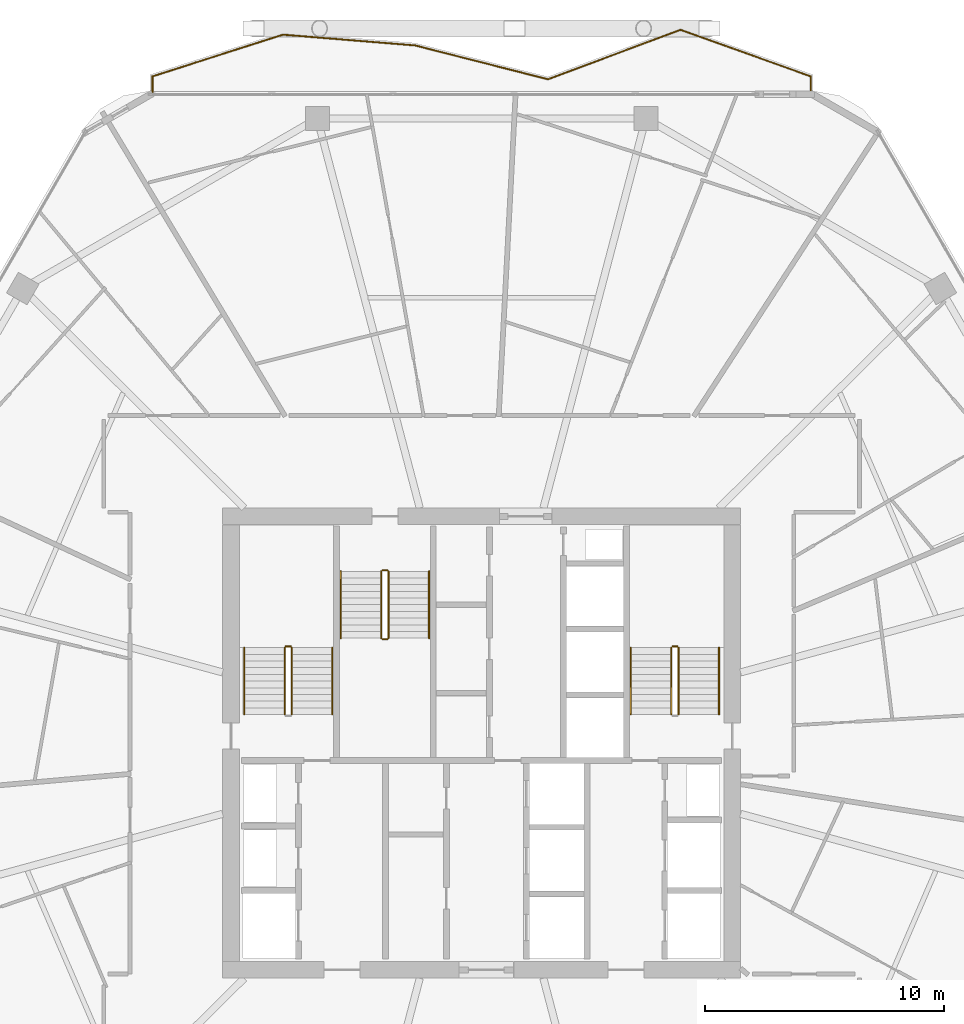
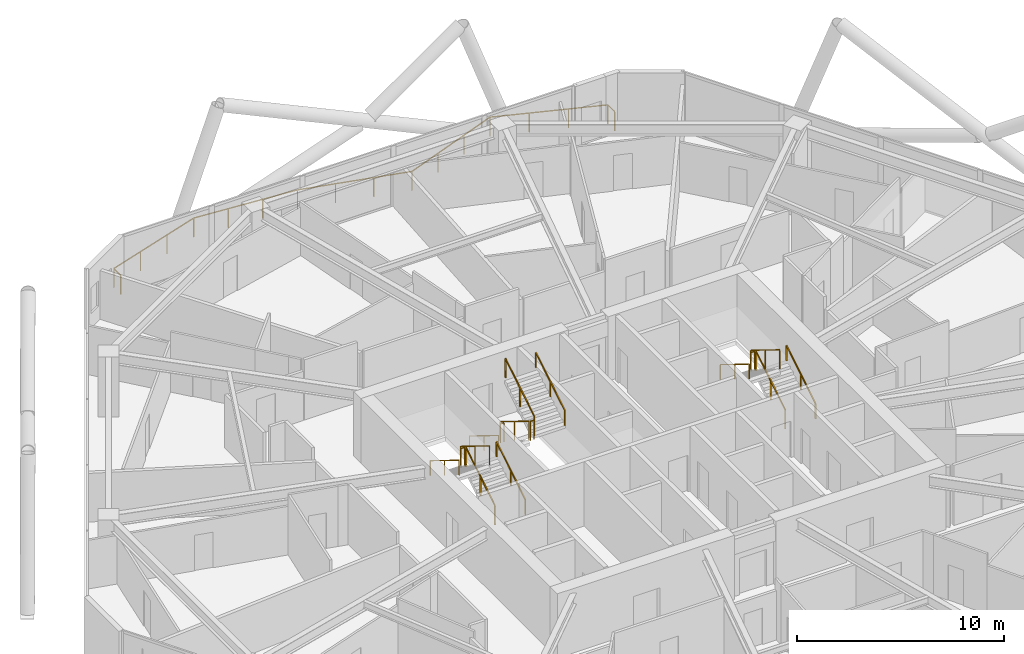
# One storey, part 28 of 29: 17 railings.
"""IFC4 building model written with IfcOpenShell, lengths in metres."""

from ifc_helpers import new_model, si_unit, direction, frame, origin, origin_2d, place, context, subcontext, project, spatial, rectangle, extrude, material, type_object, element, save


model = new_model("IFC4")

# Units and contexts
model_context = context("Model", 3, precision=1e-05, world=origin(), true_north=direction((0.0, 1.0)))
body_context = subcontext(model_context, "Body", "Model", "MODEL_VIEW")
ifc_project = project(units=[si_unit("LENGTHUNIT", "METRE"), si_unit("AREAUNIT", "SQUARE_METRE"), si_unit("VOLUMEUNIT", "CUBIC_METRE"), si_unit("PLANEANGLEUNIT", "RADIAN"), si_unit("MASSUNIT", "GRAM", prefix="KILO")], contexts=[model_context])

# Site, building, storey
site_placement = place(None, origin())
site = spatial("IfcSite", under=ifc_project, at=site_placement, CompositionType="ELEMENT")
building_placement = place(site_placement, origin())
building = spatial("IfcBuilding", under=site, at=building_placement, Name="Zuhravey Tower", CompositionType="ELEMENT")
storey_placement = place(building_placement, frame((0.0, 0.0, 161.800048828125)))
storey = spatial("IfcBuildingStorey", under=building, at=storey_placement, Name="L40", CompositionType="ELEMENT", Elevation=161.800048828125)

# Railings
ifc_material_1 = material(Name="Stainless steel 316 and laminated glass", Category="steel")
railing_type_1 = type_object("IfcRailingType", Name="Balcony & Terrace Guardrail 1150", PredefinedType="BALUSTRADE", material=ifc_material_1)
railing_1_placement = place(storey_placement, frame((22.2099609375, 59.26806640625, 0.0)))
element("IfcRailing", 1, at=railing_1_placement, inside=storey, type_object=railing_type_1, Name="L40 Face 2 Wave Balcony Guardrail GR1", PredefinedType="BALUSTRADE", context=body_context, shape_type="SweptSolid", body=[
    extrude(rectangle(XDim=0.048095703125, YDim=0.048095703125, at=origin_2d()), frame((0.0, 0.001953125, 1.1259765625), z_axis=(0.0, 1.0, 0.0), x_axis=(-1.0, 0.0, 0.0)), (0.0, 0.0, 1.0), 0.6630859375),
    extrude(rectangle(XDim=0.048095703125, YDim=0.048095703125, at=origin_2d()), frame((0.001953125, 0.66748046875, 1.1259765625), z_axis=(0.952416739993, 0.304798873656, 0.0), x_axis=(-0.304798873656, 0.952416739993, 0.0)), (0.0, 0.0, 1.0), 5.736572265625),
    extrude(rectangle(XDim=0.048095703125, YDim=0.048095703125, at=origin_2d()), frame((5.469482421875, 2.41650390625, 1.1259765625), z_axis=(0.996707450676, -0.081081796765, 0.0), x_axis=(0.081081796765, 0.996707450676, 0.0)), (0.0, 0.0, 1.0), 5.542236328125),
    extrude(rectangle(XDim=0.048095703125, YDim=0.048095703125, at=origin_2d()), frame((10.99755859375, 1.966552734375, 1.1259765625), z_axis=(0.969065273346, -0.246804570448, 0.0), x_axis=(0.246804570448, 0.969065273346, 0.0)), (0.0, 0.0, 1.0), 5.752197265625),
    extrude(rectangle(XDim=0.048095703125, YDim=0.048095703125, at=origin_2d()), frame((16.57568359375, 0.547119140625, 1.1259765625), z_axis=(0.936766974551, 0.349953761791, 0.0), x_axis=(-0.349953761791, 0.936766974551, 0.0)), (0.0, 0.0, 1.0), 5.921630859375),
    extrude(rectangle(XDim=0.048095703125, YDim=0.048095703125, at=origin_2d()), frame((22.126708984375, 2.619384765625, 1.1259765625), z_axis=(0.941626494562, -0.336659389799, 0.0), x_axis=(0.336659389799, 0.941626494562, 0.0)), (0.0, 0.0, 1.0), 5.78955078125),
    extrude(rectangle(XDim=0.048095703125, YDim=0.048095703125, at=origin_2d()), frame((27.580078125, 0.667724609375, 1.1259765625), z_axis=(0.0, -1.0, 0.0), x_axis=(1.0, 0.0, 0.0)), (0.0, 0.0, 1.0), 0.665771484375),
    extrude(rectangle(XDim=0.0419921875, YDim=0.0419921875, at=origin_2d()), origin(), (0.0, 0.0, 1.0), 1.099853515625),
    extrude(rectangle(XDim=0.0419921875, YDim=0.0419921875, at=origin_2d()), frame((0.0, 0.6669921875, 0.0)), (0.0, 0.0, 1.0), 1.099853515625),
    extrude(rectangle(XDim=0.0419921875, YDim=0.0419921875, at=origin_2d()), frame((1.822509765625, 1.250244140625, 0.0)), (0.0, 0.0, 1.0), 1.099853515625),
    extrude(rectangle(XDim=0.0419921875, YDim=0.0419921875, at=origin_2d()), frame((3.64501953125, 1.83349609375, 0.0)), (0.0, 0.0, 1.0), 1.099853515625),
    extrude(rectangle(XDim=0.0419921875, YDim=0.0419921875, at=origin_2d()), frame((5.467529296875, 2.416748046875, 0.0)), (0.0, 0.0, 1.0), 1.099853515625),
    extrude(rectangle(XDim=0.0419921875, YDim=0.0419921875, at=origin_2d()), frame((7.310302734375, 2.266845703125, 0.0)), (0.0, 0.0, 1.0), 1.099853515625),
    extrude(rectangle(XDim=0.0419921875, YDim=0.0419921875, at=origin_2d()), frame((9.15283203125, 2.116943359375, 0.0)), (0.0, 0.0, 1.0), 1.099853515625),
    extrude(rectangle(XDim=0.0419921875, YDim=0.0419921875, at=origin_2d()), frame((10.99560546875, 1.967041015625, 0.0)), (0.0, 0.0, 1.0), 1.099853515625),
    extrude(rectangle(XDim=0.0419921875, YDim=0.0419921875, at=origin_2d()), frame((12.85498046875, 1.493408203125, 0.0)), (0.0, 0.0, 1.0), 1.099853515625),
    extrude(rectangle(XDim=0.0419921875, YDim=0.0419921875, at=origin_2d()), frame((14.71435546875, 1.02001953125, 0.0)), (0.0, 0.0, 1.0), 1.099853515625),
    extrude(rectangle(XDim=0.0419921875, YDim=0.0419921875, at=origin_2d()), frame((16.57373046875, 0.54638671875, 0.0)), (0.0, 0.0, 1.0), 1.099853515625),
    extrude(rectangle(XDim=0.0419921875, YDim=0.0419921875, at=origin_2d()), frame((18.424072265625, 1.237548828125, 0.0)), (0.0, 0.0, 1.0), 1.099853515625),
    extrude(rectangle(XDim=0.0419921875, YDim=0.0419921875, at=origin_2d()), frame((20.2744140625, 1.928955078125, 0.0)), (0.0, 0.0, 1.0), 1.099853515625),
    extrude(rectangle(XDim=0.0419921875, YDim=0.0419921875, at=origin_2d()), frame((22.124755859375, 2.6201171875, 0.0)), (0.0, 0.0, 1.0), 1.099853515625),
    extrude(rectangle(XDim=0.0419921875, YDim=0.0419921875, at=origin_2d()), frame((23.943115234375, 1.969970703125, 0.0)), (0.0, 0.0, 1.0), 1.099853515625),
    extrude(rectangle(XDim=0.0419921875, YDim=0.0419921875, at=origin_2d()), frame((25.76171875, 1.31982421875, 0.0)), (0.0, 0.0, 1.0), 1.099853515625),
    extrude(rectangle(XDim=0.0419921875, YDim=0.0419921875, at=origin_2d()), frame((27.580078125, 0.669677734375, 0.0)), (0.0, 0.0, 1.0), 1.099853515625),
    extrude(rectangle(XDim=0.0419921875, YDim=0.0419921875, at=origin_2d()), frame((27.580078125, 0.0, 0.0)), (0.0, 0.0, 1.0), 1.099853515625),
])
ifc_material_2 = material(Name="Brushed stainless steel", Category="steel")
railing_type_2 = type_object("IfcRailingType", Name="Stair Wall Handrail 900", PredefinedType="HANDRAIL", material=ifc_material_2)
railing_2_placement = place(storey_placement, frame((29.75, 33.199951171875, 0.172607421875)))
element("IfcRailing", 2, at=railing_2_placement, inside=storey, type_object=railing_type_2, Name="L40 ST1 stair handrail 1", PredefinedType="HANDRAIL", context=body_context, shape_type="SweptSolid", body=[
    extrude(rectangle(XDim=0.048095703125, YDim=0.048095703125, at=origin_2d()), frame((0.0, 0.001708984375, 0.876953125), z_axis=(0.0, 0.851089632645, 0.525020415988), x_axis=(-1.0, 0.0, 0.0)), (0.0, 0.0, 1.0), 3.285888671875),
    extrude(rectangle(XDim=0.0419921875, YDim=0.0419921875, at=origin_2d()), origin(), (0.0, 0.0, 1.0), 0.849853515625),
    extrude(rectangle(XDim=0.0419921875, YDim=0.0419921875, at=origin_2d()), frame((0.0, 1.39990234375, 0.86376953125)), (0.0, 0.0, 1.0), 0.849853515625),
    extrude(rectangle(XDim=0.0419921875, YDim=0.0419921875, at=origin_2d()), frame((0.0, 2.800048828125, 1.727294921875)), (0.0, 0.0, 1.0), 0.849853515625),
])
railing_3_placement = place(storey_placement, frame((26.050048828125, 36.0, 2.07275390625)))
element("IfcRailing", 3, at=railing_3_placement, inside=storey, type_object=railing_type_2, Name="L40 ST1 stair handrail 2", PredefinedType="HANDRAIL", context=body_context, shape_type="SweptSolid", body=[
    extrude(rectangle(XDim=0.048095703125, YDim=0.048095703125, at=origin_2d()), frame((0.0, -0.001708984375, 0.876953125), z_axis=(0.0, -0.851089632645, 0.525020415988), x_axis=(1.0, 0.0, 0.0)), (0.0, 0.0, 1.0), 3.285888671875),
    extrude(rectangle(XDim=0.0419921875, YDim=0.0419921875, at=origin_2d()), origin(), (0.0, 0.0, 1.0), 0.849853515625),
    extrude(rectangle(XDim=0.0419921875, YDim=0.0419921875, at=origin_2d()), frame((0.0, -1.39990234375, 0.86376953125)), (0.0, 0.0, 1.0), 0.849853515625),
    extrude(rectangle(XDim=0.0419921875, YDim=0.0419921875, at=origin_2d()), frame((0.0, -2.800048828125, 1.727294921875)), (0.0, 0.0, 1.0), 0.849853515625),
])
railing_4_placement = place(storey_placement, frame((45.949951171875, 33.199951171875, 0.172607421875)))
element("IfcRailing", 4, at=railing_4_placement, inside=storey, type_object=railing_type_2, Name="L40 ST2 stair handrail 1", PredefinedType="HANDRAIL", context=body_context, shape_type="SweptSolid", body=[
    extrude(rectangle(XDim=0.048095703125, YDim=0.048095703125, at=origin_2d()), frame((0.0, 0.001708984375, 0.876953125), z_axis=(0.0, 0.851089632645, 0.525020415988), x_axis=(-1.0, 0.0, 0.0)), (0.0, 0.0, 1.0), 3.285888671875),
    extrude(rectangle(XDim=0.0419921875, YDim=0.0419921875, at=origin_2d()), origin(), (0.0, 0.0, 1.0), 0.849853515625),
    extrude(rectangle(XDim=0.0419921875, YDim=0.0419921875, at=origin_2d()), frame((0.0, 1.39990234375, 0.86376953125)), (0.0, 0.0, 1.0), 0.849853515625),
    extrude(rectangle(XDim=0.0419921875, YDim=0.0419921875, at=origin_2d()), frame((0.0, 2.800048828125, 1.727294921875)), (0.0, 0.0, 1.0), 0.849853515625),
])
for number, where, name in (
    (5, (42.25, 36.0, 2.07275390625), "L40 ST2 stair handrail 2"),
    (6, (30.10009765625, 39.199951171875, 0.172607421875), "L40 ST3 stair handrail 1"),
):
    element("IfcRailing", number, at=place(storey_placement, frame(where)), inside=storey, type_object=railing_type_2, Name=name, PredefinedType="HANDRAIL", context=body_context, shape_type="SweptSolid", body=[
        extrude(rectangle(XDim=0.048095703125, YDim=0.048095703125, at=origin_2d()), frame((0.0, -0.001708984375, 0.876953125), z_axis=(0.0, -0.851089632645, 0.525020415988), x_axis=(1.0, 0.0, 0.0)), (0.0, 0.0, 1.0), 3.285888671875),
        extrude(rectangle(XDim=0.0419921875, YDim=0.0419921875, at=origin_2d()), origin(), (0.0, 0.0, 1.0), 0.849853515625),
        extrude(rectangle(XDim=0.0419921875, YDim=0.0419921875, at=origin_2d()), frame((0.0, -1.39990234375, 0.86376953125)), (0.0, 0.0, 1.0), 0.849853515625),
        extrude(rectangle(XDim=0.0419921875, YDim=0.0419921875, at=origin_2d()), frame((0.0, -2.800048828125, 1.727294921875)), (0.0, 0.0, 1.0), 0.849853515625),
    ])
railing_5_placement = place(storey_placement, frame((33.800048828125, 36.39990234375, 2.07275390625)))
element("IfcRailing", 7, at=railing_5_placement, inside=storey, type_object=railing_type_2, Name="L40 ST3 stair handrail 2", PredefinedType="HANDRAIL", context=body_context, shape_type="SweptSolid", body=[
    extrude(rectangle(XDim=0.048095703125, YDim=0.048095703125, at=origin_2d()), frame((0.0, 0.001708984375, 0.876953125), z_axis=(0.0, 0.851089632645, 0.525020415988), x_axis=(-1.0, 0.0, 0.0)), (0.0, 0.0, 1.0), 3.285888671875),
    extrude(rectangle(XDim=0.0419921875, YDim=0.0419921875, at=origin_2d()), origin(), (0.0, 0.0, 1.0), 0.849853515625),
    extrude(rectangle(XDim=0.0419921875, YDim=0.0419921875, at=origin_2d()), frame((0.0, 1.39990234375, 0.86376953125)), (0.0, 0.0, 1.0), 0.849853515625),
    extrude(rectangle(XDim=0.0419921875, YDim=0.0419921875, at=origin_2d()), frame((0.0, 2.800048828125, 1.727294921875)), (0.0, 0.0, 1.0), 0.849853515625),
])
ifc_material_3 = material(Name="Painted tubular steel", Category="steel")
railing_type_3 = type_object("IfcRailingType", Name="Stair Well Guardrail 1150", PredefinedType="GUARDRAIL", material=ifc_material_3)
railing_6_placement = place(storey_placement, frame((28.050048828125, 33.199951171875, 0.172607421875)))
element("IfcRailing", 8, at=railing_6_placement, inside=storey, type_object=railing_type_3, Name="L40 ST1 stair guard 1", PredefinedType="GUARDRAIL", context=body_context, shape_type="SweptSolid", body=[
    extrude(rectangle(XDim=0.048095703125, YDim=0.048095703125, at=origin_2d()), frame((0.0, 0.001708984375, 1.126953125), z_axis=(0.0, 0.851089632645, 0.525020415988), x_axis=(-1.0, 0.0, 0.0)), (0.0, 0.0, 1.0), 3.285888671875),
    extrude(rectangle(XDim=0.0419921875, YDim=0.0419921875, at=origin_2d()), origin(), (0.0, 0.0, 1.0), 1.099853515625),
    extrude(rectangle(XDim=0.0419921875, YDim=0.0419921875, at=origin_2d()), frame((0.0, 1.39990234375, 0.86376953125)), (0.0, 0.0, 1.0), 1.099853515625),
    extrude(rectangle(XDim=0.0419921875, YDim=0.0419921875, at=origin_2d()), frame((0.0, 2.800048828125, 1.727294921875)), (0.0, 0.0, 1.0), 1.099853515625),
])
railing_7_placement = place(storey_placement, frame((28.0, 36.050048828125, 1.89990234375)))
element("IfcRailing", 9, at=railing_7_placement, inside=storey, type_object=railing_type_3, Name="L40 ST1 stair guard 2", PredefinedType="GUARDRAIL", context=body_context, shape_type="SweptSolid", body=[
    extrude(rectangle(XDim=0.048095703125, YDim=0.048095703125, at=origin_2d()), frame((-0.001953125, 0.0, 1.1259765625), z_axis=(-1.0, 0.0, 0.0), x_axis=(0.0, -1.0, 0.0)), (0.0, 0.0, 1.0), 0.196044921875),
    extrude(rectangle(XDim=0.0419921875, YDim=0.0419921875, at=origin_2d()), origin(), (0.0, 0.0, 1.0), 1.099853515625),
    extrude(rectangle(XDim=0.0419921875, YDim=0.0419921875, at=origin_2d()), frame((-0.199951171875, 0.0, 0.0)), (0.0, 0.0, 1.0), 1.099853515625),
])
railing_8_placement = place(storey_placement, frame((27.75, 36.0, 2.07275390625)))
element("IfcRailing", 10, at=railing_8_placement, inside=storey, type_object=railing_type_3, Name="L40 ST1 stair guard 3", PredefinedType="GUARDRAIL", context=body_context, shape_type="SweptSolid", body=[
    extrude(rectangle(XDim=0.048095703125, YDim=0.048095703125, at=origin_2d()), frame((0.0, -0.001708984375, 1.126953125), z_axis=(0.0, -0.851089632645, 0.525020415988), x_axis=(1.0, 0.0, 0.0)), (0.0, 0.0, 1.0), 3.285888671875),
    extrude(rectangle(XDim=0.0419921875, YDim=0.0419921875, at=origin_2d()), origin(), (0.0, 0.0, 1.0), 1.099853515625),
    extrude(rectangle(XDim=0.0419921875, YDim=0.0419921875, at=origin_2d()), frame((0.0, -1.39990234375, 0.86376953125)), (0.0, 0.0, 1.0), 1.099853515625),
    extrude(rectangle(XDim=0.0419921875, YDim=0.0419921875, at=origin_2d()), frame((0.0, -2.800048828125, 1.727294921875)), (0.0, 0.0, 1.0), 1.099853515625),
])
railing_9_placement = place(storey_placement, frame((44.25, 33.199951171875, 0.172607421875)))
element("IfcRailing", 11, at=railing_9_placement, inside=storey, type_object=railing_type_3, Name="L40 ST2 stair guard 1", PredefinedType="GUARDRAIL", context=body_context, shape_type="SweptSolid", body=[
    extrude(rectangle(XDim=0.048095703125, YDim=0.048095703125, at=origin_2d()), frame((0.0, 0.001708984375, 1.126953125), z_axis=(0.0, 0.851089632645, 0.525020415988), x_axis=(-1.0, 0.0, 0.0)), (0.0, 0.0, 1.0), 3.285888671875),
    extrude(rectangle(XDim=0.0419921875, YDim=0.0419921875, at=origin_2d()), origin(), (0.0, 0.0, 1.0), 1.099853515625),
    extrude(rectangle(XDim=0.0419921875, YDim=0.0419921875, at=origin_2d()), frame((0.0, 1.39990234375, 0.86376953125)), (0.0, 0.0, 1.0), 1.099853515625),
    extrude(rectangle(XDim=0.0419921875, YDim=0.0419921875, at=origin_2d()), frame((0.0, 2.800048828125, 1.727294921875)), (0.0, 0.0, 1.0), 1.099853515625),
])
railing_10_placement = place(storey_placement, frame((44.199951171875, 36.050048828125, 1.89990234375)))
element("IfcRailing", 12, at=railing_10_placement, inside=storey, type_object=railing_type_3, Name="L40 ST2 stair guard 2", PredefinedType="GUARDRAIL", context=body_context, shape_type="SweptSolid", body=[
    extrude(rectangle(XDim=0.048095703125, YDim=0.048095703125, at=origin_2d()), frame((-0.001953125, 0.0, 1.1259765625), z_axis=(-1.0, 0.0, 0.0), x_axis=(0.0, -1.0, 0.0)), (0.0, 0.0, 1.0), 0.196044921875),
    extrude(rectangle(XDim=0.0419921875, YDim=0.0419921875, at=origin_2d()), origin(), (0.0, 0.0, 1.0), 1.099853515625),
    extrude(rectangle(XDim=0.0419921875, YDim=0.0419921875, at=origin_2d()), frame((-0.199951171875, 0.0, 0.0)), (0.0, 0.0, 1.0), 1.099853515625),
])
for number, where, name in (
    (13, (43.949951171875, 36.0, 2.07275390625), "L40 ST2 stair guard 3"),
    (14, (31.800048828125, 39.199951171875, 0.172607421875), "L40 ST3 stair guard 1"),
):
    element("IfcRailing", number, at=place(storey_placement, frame(where)), inside=storey, type_object=railing_type_3, Name=name, PredefinedType="GUARDRAIL", context=body_context, shape_type="SweptSolid", body=[
        extrude(rectangle(XDim=0.048095703125, YDim=0.048095703125, at=origin_2d()), frame((0.0, -0.001708984375, 1.126953125), z_axis=(0.0, -0.851089632645, 0.525020415988), x_axis=(1.0, 0.0, 0.0)), (0.0, 0.0, 1.0), 3.285888671875),
        extrude(rectangle(XDim=0.0419921875, YDim=0.0419921875, at=origin_2d()), origin(), (0.0, 0.0, 1.0), 1.099853515625),
        extrude(rectangle(XDim=0.0419921875, YDim=0.0419921875, at=origin_2d()), frame((0.0, -1.39990234375, 0.86376953125)), (0.0, 0.0, 1.0), 1.099853515625),
        extrude(rectangle(XDim=0.0419921875, YDim=0.0419921875, at=origin_2d()), frame((0.0, -2.800048828125, 1.727294921875)), (0.0, 0.0, 1.0), 1.099853515625),
    ])
railing_11_placement = place(storey_placement, frame((31.85009765625, 36.35009765625, 1.89990234375)))
element("IfcRailing", 15, at=railing_11_placement, inside=storey, type_object=railing_type_3, Name="L40 ST3 stair guard 2", PredefinedType="GUARDRAIL", context=body_context, shape_type="SweptSolid", body=[
    extrude(rectangle(XDim=0.048095703125, YDim=0.048095703125, at=origin_2d()), frame((0.001953125, 0.0, 1.1259765625), z_axis=(1.0, 0.0, 0.0), x_axis=(0.0, 1.0, 0.0)), (0.0, 0.0, 1.0), 0.196044921875),
    extrude(rectangle(XDim=0.0419921875, YDim=0.0419921875, at=origin_2d()), origin(), (0.0, 0.0, 1.0), 1.099853515625),
    extrude(rectangle(XDim=0.0419921875, YDim=0.0419921875, at=origin_2d()), frame((0.199951171875, 0.0, 0.0)), (0.0, 0.0, 1.0), 1.099853515625),
])
railing_12_placement = place(storey_placement, frame((32.10009765625, 36.39990234375, 2.07275390625)))
element("IfcRailing", 16, at=railing_12_placement, inside=storey, type_object=railing_type_3, Name="L40 ST3 stair guard 3", PredefinedType="GUARDRAIL", context=body_context, shape_type="SweptSolid", body=[
    extrude(rectangle(XDim=0.048095703125, YDim=0.048095703125, at=origin_2d()), frame((0.0, 0.001708984375, 1.126953125), z_axis=(0.0, 0.851089632645, 0.525020415988), x_axis=(-1.0, 0.0, 0.0)), (0.0, 0.0, 1.0), 3.285888671875),
    extrude(rectangle(XDim=0.0419921875, YDim=0.0419921875, at=origin_2d()), origin(), (0.0, 0.0, 1.0), 1.099853515625),
    extrude(rectangle(XDim=0.0419921875, YDim=0.0419921875, at=origin_2d()), frame((0.0, 1.39990234375, 0.86376953125)), (0.0, 0.0, 1.0), 1.099853515625),
    extrude(rectangle(XDim=0.0419921875, YDim=0.0419921875, at=origin_2d()), frame((0.0, 2.800048828125, 1.727294921875)), (0.0, 0.0, 1.0), 1.099853515625),
])
railing_13_placement = place(storey_placement, frame((31.85009765625, 39.25, 0.0)))
element("IfcRailing", 17, at=railing_13_placement, inside=storey, type_object=railing_type_3, Name="L40 ST3 stair guard 4", PredefinedType="GUARDRAIL", context=body_context, shape_type="SweptSolid", body=[
    extrude(rectangle(XDim=0.048095703125, YDim=0.048095703125, at=origin_2d()), frame((0.001953125, 0.0, 1.1259765625), z_axis=(1.0, 0.0, 0.0), x_axis=(0.0, 1.0, 0.0)), (0.0, 0.0, 1.0), 0.196044921875),
    extrude(rectangle(XDim=0.0419921875, YDim=0.0419921875, at=origin_2d()), origin(), (0.0, 0.0, 1.0), 1.099853515625),
    extrude(rectangle(XDim=0.0419921875, YDim=0.0419921875, at=origin_2d()), frame((0.199951171875, 0.0, 0.0)), (0.0, 0.0, 1.0), 1.099853515625),
])

save(model, "model.ifc")
